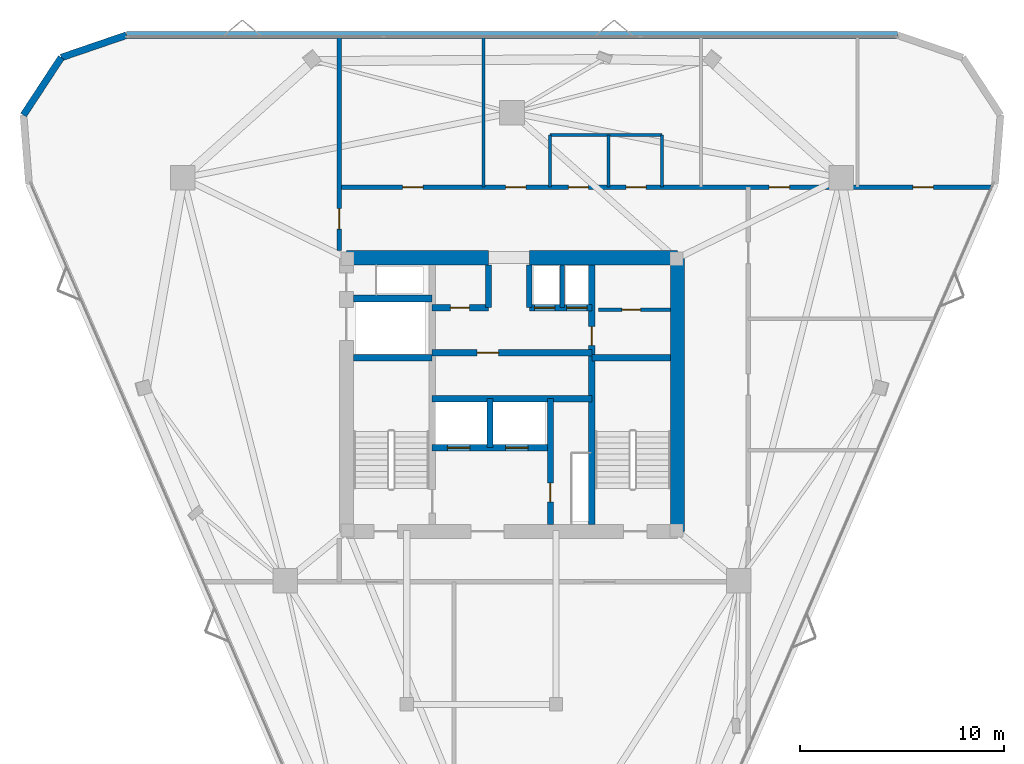
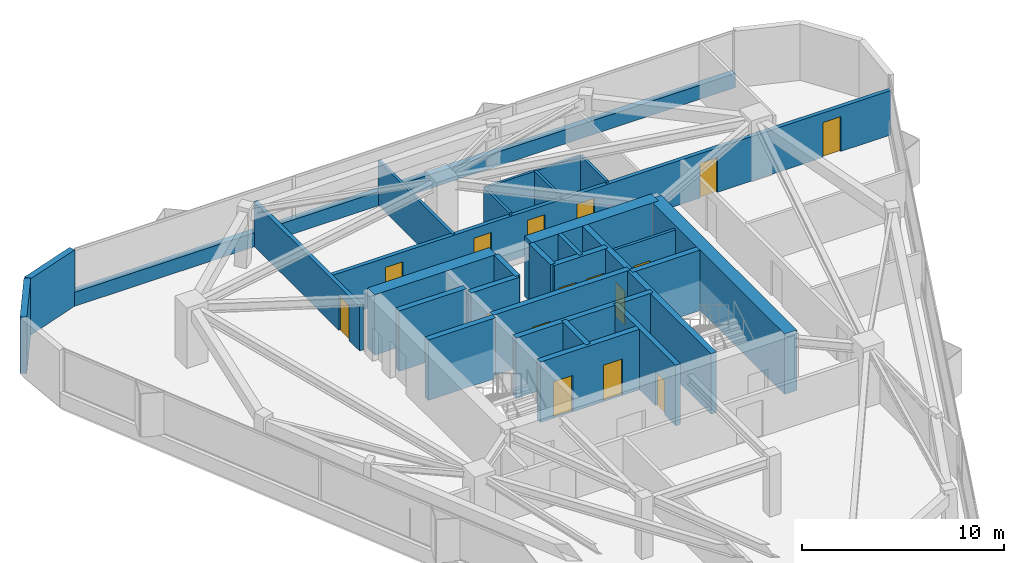
# One storey, part 9 of 11: 28 walls, 16 doors, 16 openings.
"""IFC4 building model written with IfcOpenShell, lengths in metres."""

from ifc_helpers import new_model, si_unit, direction, frame, frame_2d, origin, place, context, subcontext, project, spatial, rectangle, extrude, material, layer, layer_set, type_object, element, fill, save


model = new_model("IFC4")

# Units and contexts
model_context = context("Model", 3, precision=1e-05, world=origin(), true_north=direction((0.0, 1.0)))
body_context = subcontext(model_context, "Body", "Model", "MODEL_VIEW")
ifc_project = project(units=[si_unit("LENGTHUNIT", "METRE"), si_unit("AREAUNIT", "SQUARE_METRE"), si_unit("VOLUMEUNIT", "CUBIC_METRE"), si_unit("PLANEANGLEUNIT", "RADIAN"), si_unit("MASSUNIT", "GRAM", prefix="KILO")], contexts=[model_context])

# Site, building, storey
site_placement = place(None, origin())
site = spatial("IfcSite", under=ifc_project, at=site_placement, CompositionType="ELEMENT")
building_placement = place(site_placement, origin())
building = spatial("IfcBuilding", under=site, at=building_placement, Name="Talyreon Biosciences Tower", CompositionType="ELEMENT")
storey_placement = place(building_placement, frame((0.0, 0.0, 238.89990234375)))
storey = spatial("IfcBuildingStorey", under=building, at=storey_placement, Name="L63", CompositionType="ELEMENT", Elevation=238.89990234375)

# Walls
ifc_material_1 = material(Name="Concrete C50/60", Category="concrete")
ifc_layer_1 = layer(ifc_material_1, 0.219970703125)
ifc_layer_set_1 = layer_set([ifc_layer_1], Name="Concrete C50/60")
wall_type_1 = type_object("IfcWallType", Name="CoreShearWall_220", PredefinedType="SHEAR", material=ifc_layer_set_1)
wall_1_placement = place(storey_placement, frame((68.4599609375, 72.25, 0.0), z_axis=(0.0, 0.0, 1.0), x_axis=(0.0, 1.0, 0.0)))
element("IfcWall", 1, at=wall_1_placement, inside=storey, type_object=wall_type_1, Name="L63 Core Shaft Wall SWPHD", PredefinedType="SHEAR", context=body_context, shape_type="SweptSolid", body=[
    extrude(rectangle(XDim=2.10009765625, YDim=0.219970703125, at=frame_2d((1.050048828125, 0.0))), origin(), (0.0, 0.0, 1.0), 3.650146484375),
])
ifc_layer_2 = layer(ifc_material_1, 0.280029296875)
ifc_layer_set_2 = layer_set([ifc_layer_2], Name="Concrete C50/60")
wall_type_2 = type_object("IfcWallType", Name="CoreShearWall_280", PredefinedType="SHEAR", material=ifc_layer_set_2)
wall_2_placement = place(storey_placement, frame((64.919921875, 65.39990234375, 0.0), z_axis=(0.0, 0.0, 1.0), x_axis=(0.0, 1.0, 0.0)))
element("IfcWall", 2, at=wall_2_placement, inside=storey, type_object=wall_type_2, Name="L63 Core Shaft Wall SWSHD1", PredefinedType="SHEAR", context=body_context, shape_type="SweptSolid", body=[
    extrude(rectangle(XDim=2.400146484375, YDim=0.280029296875, at=frame_2d((1.2001953125, 0.0))), origin(), (0.0, 0.0, 1.0), 3.650146484375),
])
for number, where, z_axis, x_axis, name in (
    (3, (64.85009765625, 72.25, 0.0), (0.0, 0.0, 1.0), (0.0, 1.0, 0.0), "L63 Core Shaft Wall SWTHW"),
    (4, (66.85009765625, 72.25, 0.0), (0.0, 0.0, 1.0), (0.0, 1.0, 0.0), "L63 Core Shaft Wall SWTHE"),
):
    element("IfcWall", number, at=place(storey_placement, frame(where, z_axis=z_axis, x_axis=x_axis)), inside=storey, type_object=wall_type_2, Name=name, PredefinedType="SHEAR", context=body_context, shape_type="SweptSolid", body=[
        extrude(rectangle(XDim=2.10009765625, YDim=0.280029296875, at=frame_2d((1.050048828125, 0.0))), origin(), (0.0, 0.0, 1.0), 3.650146484375),
    ])

# Wall, opening, door
wall_3_placement = place(storey_placement, frame((67.8798828125, 61.64990234375, 0.0), z_axis=(0.0, 0.0, 1.0), x_axis=(0.0, 1.0, 0.0)))
wall_3 = element("IfcWall", 5, at=wall_3_placement, inside=storey, type_object=wall_type_2, Name="L63 Core Shaft Wall SWFFE", PredefinedType="SHEAR", context=body_context, shape_type="SweptSolid", body=[
    extrude(rectangle(XDim=6.150146484375, YDim=0.280029296875, at=frame_2d((3.0751953125, 0.0))), origin(), (0.0, 0.0, 1.0), 3.650146484375),
])
opening_1_placement = place(wall_3_placement, frame((1.10009765625, 0.0, 0.0)))
opening_1 = element("IfcOpeningElement", 6, at=opening_1_placement, cuts=wall_3, Name="Opening DR-L63-RSE", PredefinedType="OPENING", context=body_context, shape_type="SweptSolid", body=[
    extrude(rectangle(XDim=0.919921875, YDim=2.050048828125, at=frame_2d((0.4599609375, 1.02490234375))), frame((0.0, 0.14990234375, 0.0), z_axis=(0.0, -1.0, 0.0), x_axis=(1.0, 0.0, 0.0)), (0.0, 0.0, 1.0), 0.300048828125),
])
ifc_material_2 = material(Name="Painted steel fire-rated riser door", Category="steel")
door_type_1 = type_object("IfcDoorType", Name="RiserPlantAccessDoor_920x2050", OperationType="NOTDEFINED", PredefinedType="DOOR", material=ifc_material_2)
door_1_placement = place(opening_1_placement, origin())
door_1 = element("IfcDoor", 7, at=door_1_placement, inside=storey, type_object=door_type_1, Name="L63 Core Door DR-L63-RSE", OperationType="SINGLE_SWING_RIGHT", OverallHeight=2.050048828125, OverallWidth=0.919921875, PredefinedType="DOOR", context=body_context, shape_type="SweptSolid", body=[
    extrude(rectangle(XDim=0.919921875, YDim=2.050048828125, at=frame_2d((0.4599609375, 1.02490234375))), frame((0.0, 0.02490234375, 0.0), z_axis=(0.0, -1.0, 0.0), x_axis=(1.0, 0.0, 0.0)), (0.0, 0.0, 1.0), 0.050048828125),
])
fill(opening_1, door_1)

ifc_layer_3 = layer(ifc_material_1, 0.320068359375)
ifc_layer_set_3 = layer_set([ifc_layer_3], Name="Concrete C50/60")
wall_type_3 = type_object("IfcWallType", Name="CoreShearWall_320", PredefinedType="SHEAR", material=ifc_layer_set_3)
wall_4_placement = place(storey_placement, frame((69.909912109375, 61.64990234375, 0.0), z_axis=(0.0, 0.0, 1.0), x_axis=(0.0, 1.0, 0.0)))
wall_4 = element("IfcWall", 8, at=wall_4_placement, inside=storey, type_object=wall_type_3, Name="L63 Core Shaft Wall SW2W", PredefinedType="SHEAR", context=body_context, shape_type="SweptSolid", body=[
    extrude(rectangle(XDim=12.7001953125, YDim=0.320068359375, at=frame_2d((6.35009765625, 0.0))), origin(), (0.0, 0.0, 1.0), 3.650146484375),
])
opening_2_placement = place(wall_4_placement, frame((8.75, 0.0, 0.0)))
opening_2 = element("IfcOpeningElement", 9, at=opening_2_placement, cuts=wall_4, Name="Opening DR-L63-CSRV", PredefinedType="OPENING", context=body_context, shape_type="SweptSolid", body=[
    extrude(rectangle(XDim=0.919921875, YDim=2.050048828125, at=frame_2d((0.4599609375, 1.02490234375))), frame((0.0, 0.169921875, 0.0), z_axis=(0.0, -1.0, 0.0), x_axis=(1.0, 0.0, 0.0)), (0.0, 0.0, 1.0), 0.340087890625),
])
door_2_placement = place(opening_2_placement, origin())
door_2 = element("IfcDoor", 10, at=door_2_placement, inside=storey, type_object=door_type_1, Name="L63 Core Door DR-L63-CSRV", OperationType="SINGLE_SWING_RIGHT", OverallHeight=2.050048828125, OverallWidth=0.919921875, PredefinedType="DOOR", context=body_context, shape_type="SweptSolid", body=[
    extrude(rectangle(XDim=0.919921875, YDim=2.050048828125, at=frame_2d((0.4599609375, 1.02490234375))), frame((0.0, 0.02490234375, 0.0), z_axis=(0.0, -1.0, 0.0), x_axis=(1.0, 0.0, 0.0)), (0.0, 0.0, 1.0), 0.050048828125),
])
fill(opening_2, door_2)

# Walls
for number, where, z_axis, x_axis, name in (
    (11, (58.25, 69.81005859375, 0.0), (0.0, 0.0, 1.0), (1.0, 0.0, 0.0), "L63 Core Shaft Wall SW1N"),
    (12, (69.909912109375, 69.81005859375, 0.0), (0.0, 0.0, 1.0), (1.0, 0.0, 0.0), "L63 Core Shaft Wall SW2N"),
    (13, (58.25, 72.699951171875, 0.0), (0.0, 0.0, 1.0), (1.0, 0.0, 0.0), "L63 Core Shaft Wall SWGLN"),
):
    element("IfcWall", number, at=place(storey_placement, frame(where, z_axis=z_axis, x_axis=x_axis)), inside=storey, type_object=wall_type_3, Name=name, PredefinedType="SHEAR", context=body_context, shape_type="SweptSolid", body=[
        extrude(rectangle(XDim=3.840087890625, YDim=0.320068359375, at=frame_2d((1.919921875, 0.0))), origin(), (0.0, 0.0, 1.0), 3.650146484375),
    ])
wall_5_placement = place(storey_placement, frame((62.090087890625, 67.800048828125, 0.0), z_axis=(0.0, 0.0, 1.0), x_axis=(1.0, 0.0, 0.0)))
element("IfcWall", 14, at=wall_5_placement, inside=storey, type_object=wall_type_3, Name="L63 Core Shaft Wall SWSHM", PredefinedType="SHEAR", context=body_context, shape_type="SweptSolid", body=[
    extrude(rectangle(XDim=7.81982421875, YDim=0.320068359375, at=frame_2d((3.909912109375, 0.0))), origin(), (0.0, 0.0, 1.0), 3.650146484375),
])

# Wall, opening, door
wall_6_placement = place(storey_placement, frame((62.090087890625, 70.050048828125, 0.0), z_axis=(0.0, 0.0, 1.0), x_axis=(1.0, 0.0, 0.0)))
wall_6 = element("IfcWall", 15, at=wall_6_placement, inside=storey, type_object=wall_type_3, Name="L63 Core Shaft Wall SWSPN", PredefinedType="SHEAR", context=body_context, shape_type="SweptSolid", body=[
    extrude(rectangle(XDim=7.81982421875, YDim=0.320068359375, at=frame_2d((3.909912109375, 0.0))), origin(), (0.0, 0.0, 1.0), 3.650146484375),
])
opening_3_placement = place(wall_6_placement, frame((2.199951171875, 0.0, 0.0)))
opening_3 = element("IfcOpeningElement", 16, at=opening_3_placement, cuts=wall_6, Name="Opening DR-L63-PLPMFREE", PredefinedType="OPENING", context=body_context, shape_type="SweptSolid", body=[
    extrude(rectangle(XDim=1.050048828125, YDim=2.14990234375, at=frame_2d((0.52490234375, 1.074951171875))), frame((0.0, 0.169921875, 0.0), z_axis=(0.0, -1.0, 0.0), x_axis=(1.0, 0.0, 0.0)), (0.0, 0.0, 1.0), 0.340087890625),
])
ifc_material_3 = material(Name="Acoustic timber-core laboratory door", Category="wood")
door_type_2 = type_object("IfcDoorType", Name="DryLabSingleDoor_1050x2150", OperationType="NOTDEFINED", PredefinedType="DOOR", material=ifc_material_3)
door_3_placement = place(opening_3_placement, origin())
door_3 = element("IfcDoor", 17, at=door_3_placement, inside=storey, type_object=door_type_2, Name="L63 Core Door DR-L63-PLPMFREE", OperationType="SINGLE_SWING_LEFT", OverallHeight=2.14990234375, OverallWidth=1.050048828125, PredefinedType="DOOR", context=body_context, shape_type="SweptSolid", body=[
    extrude(rectangle(XDim=1.050048828125, YDim=2.14990234375, at=frame_2d((0.52490234375, 1.074951171875))), frame((0.0, 0.02490234375, 0.0), z_axis=(0.0, -1.0, 0.0), x_axis=(1.0, 0.0, 0.0)), (0.0, 0.0, 1.0), 0.050048828125),
])
fill(opening_3, door_3)

wall_7_placement = place(storey_placement, frame((62.090087890625, 72.25, 0.0), z_axis=(0.0, 0.0, 1.0), x_axis=(1.0, 0.0, 0.0)))
wall_7 = element("IfcWall", 18, at=wall_7_placement, inside=storey, type_object=wall_type_3, Name="L63 Core Shaft Wall SWNPW", PredefinedType="SHEAR", context=body_context, shape_type="SweptSolid", body=[
    extrude(rectangle(XDim=2.760009765625, YDim=0.320068359375, at=frame_2d((1.3798828125, 0.0))), origin(), (0.0, 0.0, 1.0), 3.650146484375),
])
opening_4_placement = place(wall_7_placement, frame((0.89990234375, 0.0, 0.0)))
opening_4 = element("IfcOpeningElement", 19, at=opening_4_placement, cuts=wall_7, Name="Opening DR-L63-PM2FREE", PredefinedType="OPENING", context=body_context, shape_type="SweptSolid", body=[
    extrude(rectangle(XDim=0.919921875, YDim=2.050048828125, at=frame_2d((0.4599609375, 1.02490234375))), frame((0.0, 0.169921875, 0.0), z_axis=(0.0, -1.0, 0.0), x_axis=(1.0, 0.0, 0.0)), (0.0, 0.0, 1.0), 0.340087890625),
])
door_4_placement = place(opening_4_placement, origin())
door_4 = element("IfcDoor", 20, at=door_4_placement, inside=storey, type_object=door_type_1, Name="L63 Core Door DR-L63-PM2FREE", OperationType="SINGLE_SWING_RIGHT", OverallHeight=2.050048828125, OverallWidth=0.919921875, PredefinedType="DOOR", context=body_context, shape_type="SweptSolid", body=[
    extrude(rectangle(XDim=0.919921875, YDim=2.050048828125, at=frame_2d((0.4599609375, 1.02490234375))), frame((0.0, 0.02490234375, 0.0), z_axis=(0.0, -1.0, 0.0), x_axis=(1.0, 0.0, 0.0)), (0.0, 0.0, 1.0), 0.050048828125),
])
fill(opening_4, door_4)

# Wall, openings, doors
wall_8_placement = place(storey_placement, frame((66.85009765625, 72.25, 0.0), z_axis=(0.0, 0.0, 1.0), x_axis=(1.0, 0.0, 0.0)))
wall_8 = element("IfcWall", 21, at=wall_8_placement, inside=storey, type_object=wall_type_3, Name="L63 Core Shaft Wall SWNPE", PredefinedType="SHEAR", context=body_context, shape_type="SweptSolid", body=[
    extrude(rectangle(XDim=3.059814453125, YDim=0.320068359375, at=frame_2d((1.52978515625, 0.0))), origin(), (0.0, 0.0, 1.0), 3.650146484375),
])
opening_5_placement = place(wall_8_placement, frame((0.25, 0.0, 0.0)))
opening_5 = element("IfcOpeningElement", 22, at=opening_5_placement, cuts=wall_8, Name="Opening LD-L63-PH1", PredefinedType="OPENING", context=body_context, shape_type="SweptSolid", body=[
    extrude(rectangle(XDim=1.0, YDim=2.199951171875, at=frame_2d((0.5, 1.10009765625))), frame((0.0, 0.169921875, 0.0), z_axis=(0.0, -1.0, 0.0), x_axis=(1.0, 0.0, 0.0)), (0.0, 0.0, 1.0), 0.340087890625),
])
opening_6_placement = place(wall_8_placement, frame((1.820068359375, 0.0, 0.0)))
opening_6 = element("IfcOpeningElement", 23, at=opening_6_placement, cuts=wall_8, Name="Opening LD-L63-PH2", PredefinedType="OPENING", context=body_context, shape_type="SweptSolid", body=[
    extrude(rectangle(XDim=1.0, YDim=2.199951171875, at=frame_2d((0.5, 1.10009765625))), frame((0.0, 0.169921875, 0.0), z_axis=(0.0, -1.0, 0.0), x_axis=(1.0, 0.0, 0.0)), (0.0, 0.0, 1.0), 0.340087890625),
])
ifc_material_4 = material(Name="Brushed stainless-steel lift landing door", Category="steel")
door_type_3 = type_object("IfcDoorType", Name="LiftSlidingLandingDoor_1100x2200", OperationType="SLIDING_TO_LEFT", PredefinedType="DOOR", material=ifc_material_4)
door_5_placement = place(opening_5_placement, origin())
door_5 = element("IfcDoor", 24, at=door_5_placement, inside=storey, type_object=door_type_3, Name="L63 Core Door LD-L63-PH1", OperationType="SLIDING_TO_LEFT", OverallHeight=2.199951171875, OverallWidth=1.0, PredefinedType="DOOR", context=body_context, shape_type="SweptSolid", body=[
    extrude(rectangle(XDim=1.0, YDim=2.199951171875, at=frame_2d((0.5, 1.10009765625))), frame((0.0, 0.02490234375, 0.0), z_axis=(0.0, -1.0, 0.0), x_axis=(1.0, 0.0, 0.0)), (0.0, 0.0, 1.0), 0.050048828125),
])
fill(opening_5, door_5)
door_6_placement = place(opening_6_placement, origin())
door_6 = element("IfcDoor", 25, at=door_6_placement, inside=storey, type_object=door_type_3, Name="L63 Core Door LD-L63-PH2", OperationType="SLIDING_TO_LEFT", OverallHeight=2.199951171875, OverallWidth=1.0, PredefinedType="DOOR", context=body_context, shape_type="SweptSolid", body=[
    extrude(rectangle(XDim=1.0, YDim=2.199951171875, at=frame_2d((0.5, 1.10009765625))), frame((0.0, 0.02490234375, 0.0), z_axis=(0.0, -1.0, 0.0), x_axis=(1.0, 0.0, 0.0)), (0.0, 0.0, 1.0), 0.050048828125),
])
fill(opening_6, door_6)

wall_9_placement = place(storey_placement, frame((62.090087890625, 65.39990234375, 0.0), z_axis=(0.0, 0.0, 1.0), x_axis=(1.0, 0.0, 0.0)))
wall_9 = element("IfcWall", 26, at=wall_9_placement, inside=storey, type_object=wall_type_3, Name="L63 Core Shaft Wall SWFFN", PredefinedType="SHEAR", context=body_context, shape_type="SweptSolid", body=[
    extrude(rectangle(XDim=5.789794921875, YDim=0.320068359375, at=frame_2d((2.89501953125, 0.0))), origin(), (0.0, 0.0, 1.0), 3.650146484375),
])
opening_7_placement = place(wall_9_placement, frame((0.75, 0.0, 0.0)))
opening_7 = element("IfcOpeningElement", 27, at=opening_7_placement, cuts=wall_9, Name="Opening LD-L63-FL1", PredefinedType="OPENING", context=body_context, shape_type="SweptSolid", body=[
    extrude(rectangle(XDim=1.10009765625, YDim=2.199951171875, at=frame_2d((0.550048828125, 1.10009765625))), frame((0.0, 0.169921875, 0.0), z_axis=(0.0, -1.0, 0.0), x_axis=(1.0, 0.0, 0.0)), (0.0, 0.0, 1.0), 0.340087890625),
])
opening_8_placement = place(wall_9_placement, frame((3.60009765625, 0.0, 0.0)))
opening_8 = element("IfcOpeningElement", 28, at=opening_8_placement, cuts=wall_9, Name="Opening LD-L63-FL2", PredefinedType="OPENING", context=body_context, shape_type="SweptSolid", body=[
    extrude(rectangle(XDim=1.10009765625, YDim=2.199951171875, at=frame_2d((0.550048828125, 1.10009765625))), frame((0.0, 0.169921875, 0.0), z_axis=(0.0, -1.0, 0.0), x_axis=(1.0, 0.0, 0.0)), (0.0, 0.0, 1.0), 0.340087890625),
])
door_7_placement = place(opening_7_placement, origin())
door_7 = element("IfcDoor", 29, at=door_7_placement, inside=storey, type_object=door_type_3, Name="L63 Core Door LD-L63-FL1", OperationType="SLIDING_TO_LEFT", OverallHeight=2.199951171875, OverallWidth=1.10009765625, PredefinedType="DOOR", context=body_context, shape_type="SweptSolid", body=[
    extrude(rectangle(XDim=1.10009765625, YDim=2.199951171875, at=frame_2d((0.550048828125, 1.10009765625))), frame((0.0, 0.02490234375, 0.0), z_axis=(0.0, -1.0, 0.0), x_axis=(1.0, 0.0, 0.0)), (0.0, 0.0, 1.0), 0.050048828125),
])
fill(opening_7, door_7)
door_8_placement = place(opening_8_placement, origin())
door_8 = element("IfcDoor", 30, at=door_8_placement, inside=storey, type_object=door_type_3, Name="L63 Core Door LD-L63-FL2", OperationType="SLIDING_TO_LEFT", OverallHeight=2.199951171875, OverallWidth=1.10009765625, PredefinedType="DOOR", context=body_context, shape_type="SweptSolid", body=[
    extrude(rectangle(XDim=1.10009765625, YDim=2.199951171875, at=frame_2d((0.550048828125, 1.10009765625))), frame((0.0, 0.02490234375, 0.0), z_axis=(0.0, -1.0, 0.0), x_axis=(1.0, 0.0, 0.0)), (0.0, 0.0, 1.0), 0.050048828125),
])
fill(opening_8, door_8)

# Walls
ifc_layer_4 = layer(ifc_material_1, 0.699951171875)
ifc_layer_set_4 = layer_set([ifc_layer_4], Name="Concrete C50/60")
wall_type_4 = type_object("IfcWallType", Name="CoreShearWall_700", PredefinedType="SHEAR", material=ifc_layer_set_4)
wall_10_placement = place(storey_placement, frame((74.10009765625, 61.300048828125, 0.0), z_axis=(0.0, 0.0, 1.0), x_axis=(0.0, 1.0, 0.0)))
element("IfcWall", 31, at=wall_10_placement, inside=storey, type_object=wall_type_4, Name="L63 Core Shear Wall E", PredefinedType="SHEAR", context=body_context, shape_type="SweptSolid", body=[
    extrude(rectangle(XDim=13.39990234375, YDim=0.699951171875, at=frame_2d((6.699951171875, 0.0))), origin(), (0.0, 0.0, 1.0), 3.650146484375),
])
wall_11_placement = place(storey_placement, frame((74.10009765625, 74.699951171875, 0.0), z_axis=(0.0, 0.0, 1.0), x_axis=(-1.0, 0.0, 0.0)))
element("IfcWall", 32, at=wall_11_placement, inside=storey, type_object=wall_type_4, Name="L63 Core Shear Wall NE", PredefinedType="SHEAR", context=body_context, shape_type="SweptSolid", body=[
    extrude(rectangle(XDim=7.25, YDim=0.699951171875, at=frame_2d((3.625, 0.0))), origin(), (0.0, 0.0, 1.0), 3.650146484375),
])
wall_12_placement = place(storey_placement, frame((64.85009765625, 74.699951171875, 0.0), z_axis=(0.0, 0.0, 1.0), x_axis=(-1.0, 0.0, 0.0)))
element("IfcWall", 33, at=wall_12_placement, inside=storey, type_object=wall_type_4, Name="L63 Core Shear Wall NW", PredefinedType="SHEAR", context=body_context, shape_type="SweptSolid", body=[
    extrude(rectangle(XDim=6.9501953125, YDim=0.699951171875, at=frame_2d((3.47509765625, 0.0))), origin(), (0.0, 0.0, 1.0), 3.650146484375),
])

# Wall, openings, doors
ifc_material_5 = material(Name="Gypsum fireboard acoustic stud", Category="gypsum")
ifc_layer_5 = layer(ifc_material_5, 0.219970703125)
ifc_layer_set_5 = layer_set([ifc_layer_5], Name="Gypsum fireboard acoustic stud")
wall_type_5 = type_object("IfcWallType", Name="CorridorRatedPartition_220", PredefinedType="PARTITIONING", material=ifc_layer_set_5)
wall_13_placement = place(storey_placement, frame((57.550048828125, 78.14990234375, 0.0), z_axis=(0.0, 0.0, 1.0), x_axis=(1.0, 0.0, 0.0)))
wall_13 = element("IfcWall", 34, at=wall_13_placement, inside=storey, type_object=wall_type_5, Name="L63 Interior Wall IW-L63-COR-N", PredefinedType="PARTITIONING", context=body_context, shape_type="SweptSolid", body=[
    extrude(rectangle(XDim=31.92529296875, YDim=0.219970703125, at=frame_2d((15.962646484375, 0.0))), origin(), (0.0, 0.0, 1.0), 2.68017578125),
])
opening_9_placement = place(wall_13_placement, frame((11.2099609375, 0.0, 0.0)))
opening_9 = element("IfcOpeningElement", 35, at=opening_9_placement, cuts=wall_13, Name="Opening DR-L63-WC", PredefinedType="OPENING", context=body_context, shape_type="SweptSolid", body=[
    extrude(rectangle(XDim=0.97998046875, YDim=2.10009765625, at=frame_2d((0.489990234375, 1.050048828125))), frame((0.0, 0.119873046875, 0.0), z_axis=(0.0, -1.0, 0.0), x_axis=(1.0, 0.0, 0.0)), (0.0, 0.0, 1.0), 0.239990234375),
])
opening_10_placement = place(wall_13_placement, frame((14.034912109375, 0.0, 0.0)))
opening_10 = element("IfcOpeningElement", 36, at=opening_10_placement, cuts=wall_13, Name="Opening DR-L63-AWC", PredefinedType="OPENING", context=body_context, shape_type="SweptSolid", body=[
    extrude(rectangle(XDim=0.97998046875, YDim=2.10009765625, at=frame_2d((0.489990234375, 1.050048828125))), frame((0.0, 0.119873046875, 0.0), z_axis=(0.0, -1.0, 0.0), x_axis=(1.0, 0.0, 0.0)), (0.0, 0.0, 1.0), 0.239990234375),
])
opening_11_placement = place(wall_13_placement, frame((3.10009765625, 0.0, 0.0)))
opening_11 = element("IfcOpeningElement", 37, at=opening_11_placement, cuts=wall_13, Name="Opening DR-L63-N1A", PredefinedType="OPENING", context=body_context, shape_type="SweptSolid", body=[
    extrude(rectangle(XDim=1.0, YDim=2.10009765625, at=frame_2d((0.5, 1.050048828125))), frame((0.0, 0.119873046875, 0.0), z_axis=(0.0, -1.0, 0.0), x_axis=(1.0, 0.0, 0.0)), (0.0, 0.0, 1.0), 0.239990234375),
])
opening_12_placement = place(wall_13_placement, frame((8.135009765625, 0.0, 0.0)))
opening_12 = element("IfcOpeningElement", 38, at=opening_12_placement, cuts=wall_13, Name="Opening DR-L63-N2A", PredefinedType="OPENING", context=body_context, shape_type="SweptSolid", body=[
    extrude(rectangle(XDim=1.0, YDim=2.10009765625, at=frame_2d((0.5, 1.050048828125))), frame((0.0, 0.119873046875, 0.0), z_axis=(0.0, -1.0, 0.0), x_axis=(1.0, 0.0, 0.0)), (0.0, 0.0, 1.0), 0.239990234375),
])
opening_13_placement = place(wall_13_placement, frame((21.030029296875, 0.0, 0.0)))
opening_13 = element("IfcOpeningElement", 39, at=opening_13_placement, cuts=wall_13, Name="Opening DR-L63-N3A", PredefinedType="OPENING", context=body_context, shape_type="SweptSolid", body=[
    extrude(rectangle(XDim=1.0, YDim=2.10009765625, at=frame_2d((0.5, 1.050048828125))), frame((0.0, 0.119873046875, 0.0), z_axis=(0.0, -1.0, 0.0), x_axis=(1.0, 0.0, 0.0)), (0.0, 0.0, 1.0), 0.239990234375),
])
opening_14_placement = place(wall_13_placement, frame((28.068115234375, 0.0, 0.0)))
opening_14 = element("IfcOpeningElement", 40, at=opening_14_placement, cuts=wall_13, Name="Opening DR-L63-N4A", PredefinedType="OPENING", context=body_context, shape_type="SweptSolid", body=[
    extrude(rectangle(XDim=1.0, YDim=2.10009765625, at=frame_2d((0.5, 1.050048828125))), frame((0.0, 0.119873046875, 0.0), z_axis=(0.0, -1.0, 0.0), x_axis=(1.0, 0.0, 0.0)), (0.0, 0.0, 1.0), 0.239990234375),
])
ifc_material_6 = material(Name="Laminate moisture-resistant door", Category="wood")
door_type_4 = type_object("IfcDoorType", Name="AccessibleToiletDoor_980x2100", OperationType="NOTDEFINED", PredefinedType="DOOR", material=ifc_material_6)
door_9_placement = place(opening_9_placement, origin())
door_9 = element("IfcDoor", 41, at=door_9_placement, inside=storey, type_object=door_type_4, Name="L63 Interior Door DR-L63-WC", OperationType="SINGLE_SWING_LEFT", OverallHeight=2.10009765625, OverallWidth=0.97998046875, PredefinedType="DOOR", context=body_context, shape_type="SweptSolid", body=[
    extrude(rectangle(XDim=0.97998046875, YDim=2.10009765625, at=frame_2d((0.489990234375, 1.050048828125))), frame((0.0, 0.02490234375, 0.0), z_axis=(0.0, -1.0, 0.0), x_axis=(1.0, 0.0, 0.0)), (0.0, 0.0, 1.0), 0.050048828125),
])
fill(opening_9, door_9)
door_10_placement = place(opening_10_placement, origin())
door_10 = element("IfcDoor", 42, at=door_10_placement, inside=storey, type_object=door_type_4, Name="L63 Interior Door DR-L63-AWC", OperationType="SINGLE_SWING_LEFT", OverallHeight=2.10009765625, OverallWidth=0.97998046875, PredefinedType="DOOR", context=body_context, shape_type="SweptSolid", body=[
    extrude(rectangle(XDim=0.97998046875, YDim=2.10009765625, at=frame_2d((0.489990234375, 1.050048828125))), frame((0.0, 0.02490234375, 0.0), z_axis=(0.0, -1.0, 0.0), x_axis=(1.0, 0.0, 0.0)), (0.0, 0.0, 1.0), 0.050048828125),
])
fill(opening_10, door_10)
ifc_material_7 = material(Name="Acoustic oak veneer office door", Category="wood")
door_type_5 = type_object("IfcDoorType", Name="WriteupOfficeDoor_1000x2100", OperationType="NOTDEFINED", PredefinedType="DOOR", material=ifc_material_7)
door_11_placement = place(opening_11_placement, origin())
door_11 = element("IfcDoor", 43, at=door_11_placement, inside=storey, type_object=door_type_5, Name="L63 Interior Door DR-L63-N1A", OperationType="SINGLE_SWING_LEFT", OverallHeight=2.10009765625, OverallWidth=1.0, PredefinedType="DOOR", context=body_context, shape_type="SweptSolid", body=[
    extrude(rectangle(XDim=1.0, YDim=2.10009765625, at=frame_2d((0.5, 1.050048828125))), frame((0.0, 0.02490234375, 0.0), z_axis=(0.0, -1.0, 0.0), x_axis=(1.0, 0.0, 0.0)), (0.0, 0.0, 1.0), 0.050048828125),
])
fill(opening_11, door_11)
door_12_placement = place(opening_12_placement, origin())
door_12 = element("IfcDoor", 44, at=door_12_placement, inside=storey, type_object=door_type_5, Name="L63 Interior Door DR-L63-N2A", OperationType="SINGLE_SWING_RIGHT", OverallHeight=2.10009765625, OverallWidth=1.0, PredefinedType="DOOR", context=body_context, shape_type="SweptSolid", body=[
    extrude(rectangle(XDim=1.0, YDim=2.10009765625, at=frame_2d((0.5, 1.050048828125))), frame((0.0, 0.02490234375, 0.0), z_axis=(0.0, -1.0, 0.0), x_axis=(1.0, 0.0, 0.0)), (0.0, 0.0, 1.0), 0.050048828125),
])
fill(opening_12, door_12)
door_13_placement = place(opening_13_placement, origin())
door_13 = element("IfcDoor", 45, at=door_13_placement, inside=storey, type_object=door_type_5, Name="L63 Interior Door DR-L63-N3A", OperationType="SINGLE_SWING_RIGHT", OverallHeight=2.10009765625, OverallWidth=1.0, PredefinedType="DOOR", context=body_context, shape_type="SweptSolid", body=[
    extrude(rectangle(XDim=1.0, YDim=2.10009765625, at=frame_2d((0.5, 1.050048828125))), frame((0.0, 0.02490234375, 0.0), z_axis=(0.0, -1.0, 0.0), x_axis=(1.0, 0.0, 0.0)), (0.0, 0.0, 1.0), 0.050048828125),
])
fill(opening_13, door_13)
door_14_placement = place(opening_14_placement, origin())
door_14 = element("IfcDoor", 46, at=door_14_placement, inside=storey, type_object=door_type_5, Name="L63 Interior Door DR-L63-N4A", OperationType="SINGLE_SWING_LEFT", OverallHeight=2.10009765625, OverallWidth=1.0, PredefinedType="DOOR", context=body_context, shape_type="SweptSolid", body=[
    extrude(rectangle(XDim=1.0, YDim=2.10009765625, at=frame_2d((0.5, 1.050048828125))), frame((0.0, 0.02490234375, 0.0), z_axis=(0.0, -1.0, 0.0), x_axis=(1.0, 0.0, 0.0)), (0.0, 0.0, 1.0), 0.050048828125),
])
fill(opening_14, door_14)

# Wall, opening, door
wall_14_placement = place(storey_placement, frame((57.550048828125, 75.050048828125, 0.0), z_axis=(0.0, 0.0, 1.0), x_axis=(0.0, 1.0, 0.0)))
wall_14 = element("IfcWall", 47, at=wall_14_placement, inside=storey, type_object=wall_type_5, Name="L63 Interior Wall IW-L63-WCAP-N", PredefinedType="PARTITIONING", context=body_context, shape_type="SweptSolid", body=[
    extrude(rectangle(XDim=10.44970703125, YDim=0.219970703125, at=frame_2d((5.224853515625, 0.0))), origin(), (0.0, 0.0, 1.0), 2.68017578125),
])
opening_15_placement = place(wall_14_placement, frame((1.050048828125, 0.0, 0.0)))
opening_15 = element("IfcOpeningElement", 48, at=opening_15_placement, cuts=wall_14, Name="Opening DR-L63-W1A", PredefinedType="OPENING", context=body_context, shape_type="SweptSolid", body=[
    extrude(rectangle(XDim=1.0, YDim=2.10009765625, at=frame_2d((0.5, 1.050048828125))), frame((0.0, 0.119873046875, 0.0), z_axis=(0.0, -1.0, 0.0), x_axis=(1.0, 0.0, 0.0)), (0.0, 0.0, 1.0), 0.239990234375),
])
door_15_placement = place(opening_15_placement, origin())
door_15 = element("IfcDoor", 49, at=door_15_placement, inside=storey, type_object=door_type_5, Name="L63 Interior Door DR-L63-W1A", OperationType="SINGLE_SWING_LEFT", OverallHeight=2.10009765625, OverallWidth=1.0, PredefinedType="DOOR", context=body_context, shape_type="SweptSolid", body=[
    extrude(rectangle(XDim=1.0, YDim=2.10009765625, at=frame_2d((0.5, 1.050048828125))), frame((0.0, 0.02490234375, 0.0), z_axis=(0.0, -1.0, 0.0), x_axis=(1.0, 0.0, 0.0)), (0.0, 0.0, 1.0), 0.050048828125),
])
fill(opening_15, door_15)

ifc_material_8 = material(Name="Gypsum acoustic stud partition", Category="gypsum")
ifc_layer_6 = layer(ifc_material_8, 0.159912109375)
ifc_layer_set_6 = layer_set([ifc_layer_6], Name="Gypsum acoustic stud partition")
wall_type_6 = type_object("IfcWallType", Name="LabSeparationPartition_160", PredefinedType="PARTITIONING", material=ifc_layer_set_6)
wall_15_placement = place(storey_placement, frame((70.22998046875, 72.14990234375, 0.0), z_axis=(0.0, 0.0, 1.0), x_axis=(1.0, 0.0, 0.0)))
wall_15 = element("IfcWall", 50, at=wall_15_placement, inside=storey, type_object=wall_type_6, Name="L63 Interior Wall IW-L63-CSRV-H", PredefinedType="PARTITIONING", context=body_context, shape_type="SweptSolid", body=[
    extrude(rectangle(XDim=3.52001953125, YDim=0.159912109375, at=frame_2d((1.760009765625, 0.0))), origin(), (0.0, 0.0, 1.0), 3.400146484375),
])
opening_16_placement = place(wall_15_placement, frame((1.14990234375, 0.0, 0.0)))
opening_16 = element("IfcOpeningElement", 51, at=opening_16_placement, cuts=wall_15, Name="Opening DR-L63-CSRV-I", PredefinedType="OPENING", context=body_context, shape_type="SweptSolid", body=[
    extrude(rectangle(XDim=0.919921875, YDim=2.050048828125, at=frame_2d((0.4599609375, 1.02490234375))), frame((0.0, 0.08984375, 0.0), z_axis=(0.0, -1.0, 0.0), x_axis=(1.0, 0.0, 0.0)), (0.0, 0.0, 1.0), 0.179931640625),
])
door_16_placement = place(opening_16_placement, origin())
door_16 = element("IfcDoor", 52, at=door_16_placement, inside=storey, type_object=door_type_1, Name="L63 Interior Door DR-L63-CSRV-I", OperationType="SINGLE_SWING_LEFT", OverallHeight=2.050048828125, OverallWidth=0.919921875, PredefinedType="DOOR", context=body_context, shape_type="SweptSolid", body=[
    extrude(rectangle(XDim=0.919921875, YDim=2.050048828125, at=frame_2d((0.4599609375, 1.02490234375))), frame((0.0, 0.02490234375, 0.0), z_axis=(0.0, -1.0, 0.0), x_axis=(1.0, 0.0, 0.0)), (0.0, 0.0, 1.0), 0.050048828125),
])
fill(opening_16, door_16)

# Walls
wall_16_placement = place(storey_placement, frame((64.60009765625, 78.14990234375, 0.0), z_axis=(0.0, 0.0, 1.0), x_axis=(0.0, 1.0, 0.0)))
element("IfcWall", 53, at=wall_16_placement, inside=storey, type_object=wall_type_6, Name="L63 Interior Wall IW-L63-NDIV1", PredefinedType="PARTITIONING", context=body_context, shape_type="SweptSolid", body=[
    extrude(rectangle(XDim=7.349853515625, YDim=0.159912109375, at=frame_2d((3.6748046875, 0.0))), origin(), (0.0, 0.0, 1.0), 2.68017578125),
])
ifc_material_9 = material(Name="Precast concrete C45/55", Category="concrete")
ifc_layer_7 = layer(ifc_material_9, 0.340087890625)
ifc_layer_set_7 = layer_set([ifc_layer_7], Name="Precast concrete C45/55")
wall_type_7 = type_object("IfcWallType", Name="PrecastConcreteSpandrelWall_340", PredefinedType="STANDARD", material=ifc_layer_set_7)
wall_17_placement = place(storey_placement, frame((42.093505859375, 81.67529296875, 0.0), z_axis=(0.0, 0.0, 1.0), x_axis=(0.548700748562, 0.836018832639, 0.0)))
element("IfcWall", 54, at=wall_17_placement, inside=storey, type_object=wall_type_7, Name="L63 Rounded-Corner Concrete Pier 02", PredefinedType="STANDARD", context=body_context, shape_type="SweptSolid", body=[
    extrude(rectangle(XDim=3.3701171875, YDim=0.340087890625, at=frame_2d((1.68505859375, 0.0))), origin(), (0.0, 0.0, 1.0), 3.400146484375),
])
wall_18_placement = place(storey_placement, frame((43.942626953125, 84.49267578125, 0.0), z_axis=(0.0, 0.0, 1.0), x_axis=(0.946035452073, 0.324063147275, 0.0)))
element("IfcWall", 55, at=wall_18_placement, inside=storey, type_object=wall_type_7, Name="L63 Rounded-Corner Concrete Pier 03", PredefinedType="STANDARD", context=body_context, shape_type="SweptSolid", body=[
    extrude(rectangle(XDim=3.369873046875, YDim=0.340087890625, at=frame_2d((1.68505859375, 0.0))), origin(), (0.0, 0.0, 1.0), 3.400146484375),
])
wall_19_placement = place(storey_placement, frame((47.130615234375, 85.584716796875, 0.0), z_axis=(0.0, 0.0, 1.0), x_axis=(1.0, 0.0, 0.0)))
element("IfcWall", 56, at=wall_19_placement, inside=storey, type_object=wall_type_7, Name="L63 Expressed Concrete Sill Wall 04", PredefinedType="STANDARD", context=body_context, shape_type="SweptSolid", body=[
    extrude(rectangle(XDim=37.738525390625, YDim=0.340087890625, at=frame_2d((18.869140625, 0.0))), origin(), (0.0, 0.0, 1.0), 0.85009765625),
])
ifc_material_10 = material(Name="Moisture-resistant cement-board stud", Category="gypsum")
ifc_layer_8 = layer(ifc_material_10, 0.14501953125)
ifc_layer_set_8 = layer_set([ifc_layer_8], Name="Moisture-resistant cement-board stud")
wall_type_8 = type_object("IfcWallType", Name="WetRoomPartition_145", PredefinedType="PARTITIONING", material=ifc_layer_set_8)
for number, where, z_axis, x_axis, name in (
    (57, (67.85009765625, 78.14990234375, 0.0), (0.0, 0.0, 1.0), (0.0, 1.0, 0.0), "L63 Interior Wall IW-L63-WCL"),
    (58, (70.72509765625, 78.14990234375, 0.0), (0.0, 0.0, 1.0), (0.0, 1.0, 0.0), "L63 Interior Wall IW-L63-WCM"),
    (59, (73.35009765625, 78.14990234375, 0.0), (0.0, 0.0, 1.0), (0.0, 1.0, 0.0), "L63 Interior Wall IW-L63-WCR"),
):
    element("IfcWall", number, at=place(storey_placement, frame(where, z_axis=z_axis, x_axis=x_axis)), inside=storey, type_object=wall_type_8, Name=name, PredefinedType="PARTITIONING", context=body_context, shape_type="SweptSolid", body=[
        extrude(rectangle(XDim=2.550048828125, YDim=0.14501953125, at=frame_2d((1.27490234375, 0.0))), origin(), (0.0, 0.0, 1.0), 2.830078125),
    ])
wall_20_placement = place(storey_placement, frame((67.85009765625, 80.699951171875, 0.0), z_axis=(0.0, 0.0, 1.0), x_axis=(1.0, 0.0, 0.0)))
element("IfcWall", 60, at=wall_20_placement, inside=storey, type_object=wall_type_8, Name="L63 Interior Wall IW-L63-WCT", PredefinedType="PARTITIONING", context=body_context, shape_type="SweptSolid", body=[
    extrude(rectangle(XDim=5.5, YDim=0.14501953125, at=frame_2d((2.75, 0.0))), origin(), (0.0, 0.0, 1.0), 2.830078125),
])

save(model, "model.ifc")
